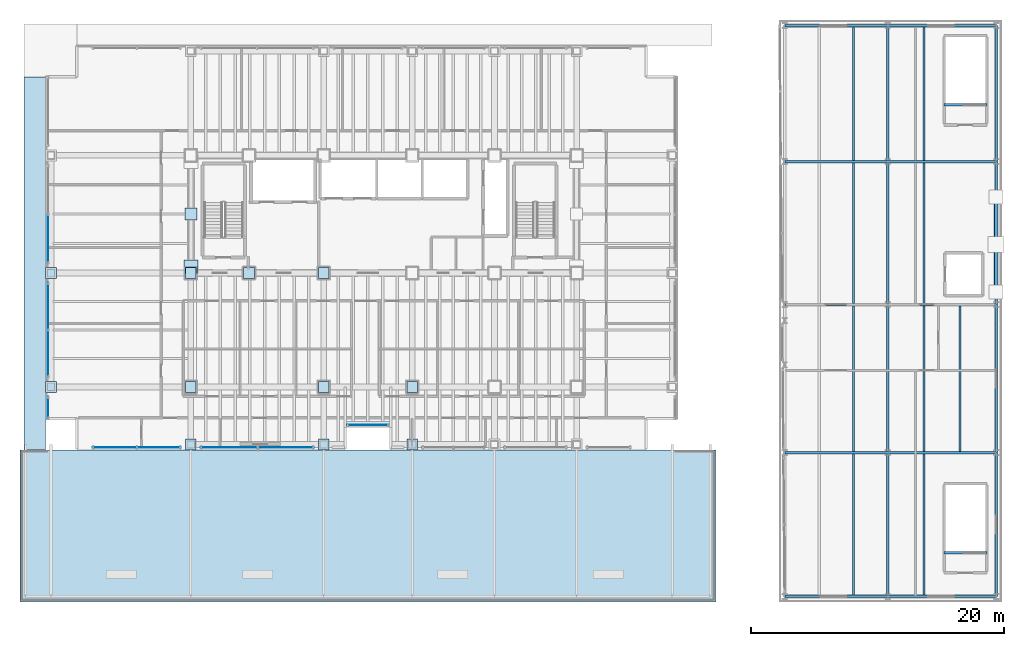
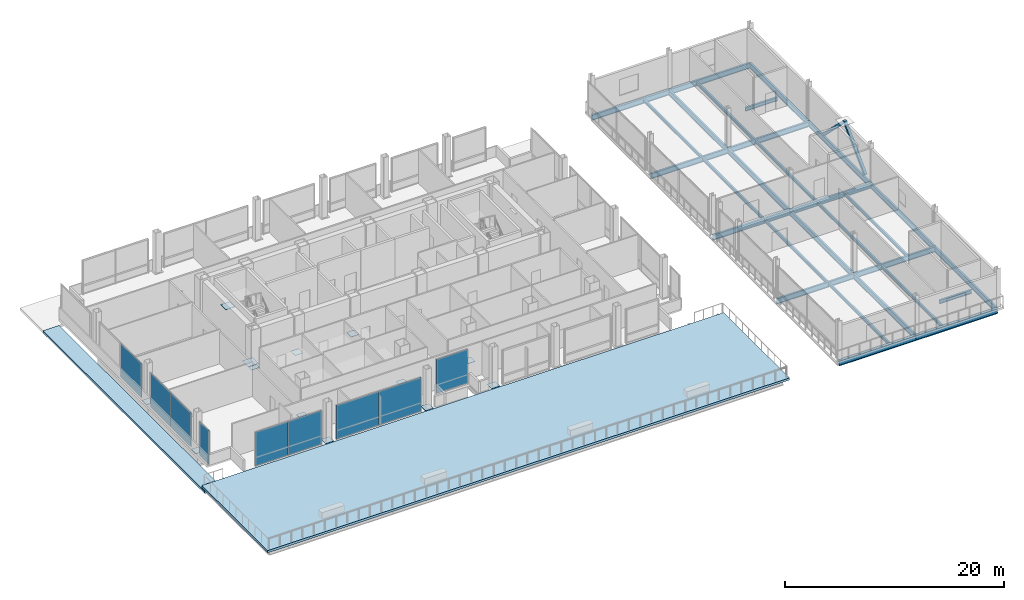
# One storey, part 23 of 34: 29 beams, 22 plates, 2 members, 2 slabs, 6 elements without a shape of their own.
"""IFC4 building model written with IfcOpenShell, lengths in metres."""

from ifc_helpers import new_model, si_unit, direction, frame, origin, origin_2d, place, context, subcontext, project, spatial, polyline, rectangle, hollow_rectangle, i_section, outline, extrude, material, layer, layer_set, material_profile, profile_set, type_object, element, aggregate, save


model = new_model("IFC4")

# Units and contexts
model_context = context("Model", 3, precision=1e-05, world=origin(), true_north=direction((0.0, 1.0)))
body_context = subcontext(model_context, "Body", "Model", "MODEL_VIEW")
ifc_project = project(units=[si_unit("LENGTHUNIT", "METRE"), si_unit("AREAUNIT", "SQUARE_METRE"), si_unit("VOLUMEUNIT", "CUBIC_METRE"), si_unit("PLANEANGLEUNIT", "RADIAN"), si_unit("MASSUNIT", "GRAM", prefix="KILO")], contexts=[model_context])

# Site, building, storey
site_placement = place(None, origin())
site = spatial("IfcSite", under=ifc_project, at=site_placement, CompositionType="ELEMENT")
building_placement = place(site_placement, origin())
building = spatial("IfcBuilding", under=site, at=building_placement, Name="Noeulbin Bourse Tower", CompositionType="ELEMENT")
storey_placement = place(building_placement, frame((0.0, 0.0, 22.0)))
storey = spatial("IfcBuildingStorey", under=building, at=storey_placement, Name="L05", CompositionType="ELEMENT", Elevation=22.0)

# Beams
ifc_material_1 = material(Name="Steel S355", Category="steel")
ifc_material_profile_1 = material_profile(ifc_material_1, i_section(OverallWidth=0.199951171875, OverallDepth=0.60009765625, WebThickness=0.010986328125, FlangeThickness=0.01708984375, FilletRadius=0.02197265625, at=origin_2d()), Name="H-600x200x11x17", Category="LoadBearing")
ifc_profile_set_1 = profile_set([ifc_material_profile_1], Name="Steel S355")
beam_type_1 = type_object("IfcBeamType", Name="BM-GRD-600", PredefinedType="USERDEFINED", material=ifc_profile_set_1)
beam_1_placement = place(storey_placement, frame((60.449951171875, 3.449951171875, -0.52001953125), z_axis=(1.0, 0.0, 0.0), x_axis=(0.0, 1.0, 0.0)))
element("IfcBeam", 1, at=beam_1_placement, inside=storey, type_object=beam_type_1, Name="Market Hall Girder EW L05-01", ObjectType="GIRDER", PredefinedType="USERDEFINED", context=body_context, shape_type="SweptSolid", body=[
    extrude(i_section(OverallWidth=0.199951171875, OverallDepth=0.60009765625, WebThickness=0.010986328125, FlangeThickness=0.01708984375, FilletRadius=0.02197265625, at=origin_2d()), origin(), (0.0, 0.0, 1.0), 8.150146484375),
])
beam_2_placement = place(storey_placement, frame((68.60009765625, 3.449951171875, -0.52001953125), z_axis=(1.0, 0.0, 0.0), x_axis=(0.0, 1.0, 0.0)))
element("IfcBeam", 2, at=beam_2_placement, inside=storey, type_object=beam_type_1, Name="Market Hall Girder EW L05-02", ObjectType="GIRDER", PredefinedType="USERDEFINED", context=body_context, shape_type="SweptSolid", body=[
    extrude(i_section(OverallWidth=0.199951171875, OverallDepth=0.60009765625, WebThickness=0.010986328125, FlangeThickness=0.01708984375, FilletRadius=0.02197265625, at=origin_2d()), origin(), (0.0, 0.0, 1.0), 8.5498046875),
])
beam_3_placement = place(storey_placement, frame((60.449951171875, 14.800048828125, -0.52001953125), z_axis=(1.0, 0.0, 0.0), x_axis=(0.0, 1.0, 0.0)))
element("IfcBeam", 3, at=beam_3_placement, inside=storey, type_object=beam_type_1, Name="Market Hall Girder EW L05-03", ObjectType="GIRDER", PredefinedType="USERDEFINED", context=body_context, shape_type="SweptSolid", body=[
    extrude(i_section(OverallWidth=0.199951171875, OverallDepth=0.60009765625, WebThickness=0.010986328125, FlangeThickness=0.01708984375, FilletRadius=0.02197265625, at=origin_2d()), origin(), (0.0, 0.0, 1.0), 8.150146484375),
])
beam_4_placement = place(storey_placement, frame((68.60009765625, 14.800048828125, -0.52001953125), z_axis=(1.0, 0.0, 0.0), x_axis=(0.0, 1.0, 0.0)))
element("IfcBeam", 4, at=beam_4_placement, inside=storey, type_object=beam_type_1, Name="Market Hall Girder EW L05-04", ObjectType="GIRDER", PredefinedType="USERDEFINED", context=body_context, shape_type="SweptSolid", body=[
    extrude(i_section(OverallWidth=0.199951171875, OverallDepth=0.60009765625, WebThickness=0.010986328125, FlangeThickness=0.01708984375, FilletRadius=0.02197265625, at=origin_2d()), origin(), (0.0, 0.0, 1.0), 8.5498046875),
])
beam_5_placement = place(storey_placement, frame((60.449951171875, 26.5, -0.52001953125), z_axis=(1.0, 0.0, 0.0), x_axis=(0.0, 1.0, 0.0)))
element("IfcBeam", 5, at=beam_5_placement, inside=storey, type_object=beam_type_1, Name="Market Hall Girder EW L05-05", ObjectType="GIRDER", PredefinedType="USERDEFINED", context=body_context, shape_type="SweptSolid", body=[
    extrude(i_section(OverallWidth=0.199951171875, OverallDepth=0.60009765625, WebThickness=0.010986328125, FlangeThickness=0.01708984375, FilletRadius=0.02197265625, at=origin_2d()), origin(), (0.0, 0.0, 1.0), 8.150146484375),
])
beam_6_placement = place(storey_placement, frame((68.60009765625, 26.5, -0.52001953125), z_axis=(1.0, 0.0, 0.0), x_axis=(0.0, 1.0, 0.0)))
element("IfcBeam", 6, at=beam_6_placement, inside=storey, type_object=beam_type_1, Name="Market Hall Girder EW L05-06", ObjectType="GIRDER", PredefinedType="USERDEFINED", context=body_context, shape_type="SweptSolid", body=[
    extrude(i_section(OverallWidth=0.199951171875, OverallDepth=0.60009765625, WebThickness=0.010986328125, FlangeThickness=0.01708984375, FilletRadius=0.02197265625, at=origin_2d()), origin(), (0.0, 0.0, 1.0), 8.5498046875),
])
beam_7_placement = place(storey_placement, frame((60.449951171875, 37.800048828125, -0.52001953125), z_axis=(1.0, 0.0, 0.0), x_axis=(0.0, 1.0, 0.0)))
element("IfcBeam", 7, at=beam_7_placement, inside=storey, type_object=beam_type_1, Name="Market Hall Girder EW L05-07", ObjectType="GIRDER", PredefinedType="USERDEFINED", context=body_context, shape_type="SweptSolid", body=[
    extrude(i_section(OverallWidth=0.199951171875, OverallDepth=0.60009765625, WebThickness=0.010986328125, FlangeThickness=0.01708984375, FilletRadius=0.02197265625, at=origin_2d()), origin(), (0.0, 0.0, 1.0), 8.150146484375),
])
beam_8_placement = place(storey_placement, frame((68.60009765625, 37.800048828125, -0.52001953125), z_axis=(1.0, 0.0, 0.0), x_axis=(0.0, 1.0, 0.0)))
element("IfcBeam", 8, at=beam_8_placement, inside=storey, type_object=beam_type_1, Name="Market Hall Girder EW L05-08", ObjectType="GIRDER", PredefinedType="USERDEFINED", context=body_context, shape_type="SweptSolid", body=[
    extrude(i_section(OverallWidth=0.199951171875, OverallDepth=0.60009765625, WebThickness=0.010986328125, FlangeThickness=0.01708984375, FilletRadius=0.02197265625, at=origin_2d()), origin(), (0.0, 0.0, 1.0), 8.5498046875),
])
beam_9_placement = place(storey_placement, frame((60.449951171875, 48.550048828125, -0.52001953125), z_axis=(1.0, 0.0, 0.0), x_axis=(0.0, 1.0, 0.0)))
element("IfcBeam", 9, at=beam_9_placement, inside=storey, type_object=beam_type_1, Name="Market Hall Girder EW L05-09", ObjectType="GIRDER", PredefinedType="USERDEFINED", context=body_context, shape_type="SweptSolid", body=[
    extrude(i_section(OverallWidth=0.199951171875, OverallDepth=0.60009765625, WebThickness=0.010986328125, FlangeThickness=0.01708984375, FilletRadius=0.02197265625, at=origin_2d()), origin(), (0.0, 0.0, 1.0), 8.150146484375),
])
beam_10_placement = place(storey_placement, frame((68.60009765625, 48.550048828125, -0.52001953125), z_axis=(1.0, 0.0, 0.0), x_axis=(0.0, 1.0, 0.0)))
element("IfcBeam", 10, at=beam_10_placement, inside=storey, type_object=beam_type_1, Name="Market Hall Girder EW L05-10", ObjectType="GIRDER", PredefinedType="USERDEFINED", context=body_context, shape_type="SweptSolid", body=[
    extrude(i_section(OverallWidth=0.199951171875, OverallDepth=0.60009765625, WebThickness=0.010986328125, FlangeThickness=0.01708984375, FilletRadius=0.02197265625, at=origin_2d()), origin(), (0.0, 0.0, 1.0), 8.5498046875),
])
beam_11_placement = place(storey_placement, frame((68.60009765625, 3.449951171875, -0.52001953125), z_axis=(0.0, 1.0, 0.0), x_axis=(-1.0, 0.0, 0.0)))
element("IfcBeam", 11, at=beam_11_placement, inside=storey, type_object=beam_type_1, Name="Market Hall Girder NS L05-15", ObjectType="GIRDER", PredefinedType="USERDEFINED", context=body_context, shape_type="SweptSolid", body=[
    extrude(i_section(OverallWidth=0.199951171875, OverallDepth=0.60009765625, WebThickness=0.010986328125, FlangeThickness=0.01708984375, FilletRadius=0.02197265625, at=origin_2d()), origin(), (0.0, 0.0, 1.0), 11.35009765625),
])
beam_12_placement = place(storey_placement, frame((68.60009765625, 14.800048828125, -0.52001953125), z_axis=(0.0, 1.0, 0.0), x_axis=(-1.0, 0.0, 0.0)))
element("IfcBeam", 12, at=beam_12_placement, inside=storey, type_object=beam_type_1, Name="Market Hall Girder NS L05-16", ObjectType="GIRDER", PredefinedType="USERDEFINED", context=body_context, shape_type="SweptSolid", body=[
    extrude(i_section(OverallWidth=0.199951171875, OverallDepth=0.60009765625, WebThickness=0.010986328125, FlangeThickness=0.01708984375, FilletRadius=0.02197265625, at=origin_2d()), origin(), (0.0, 0.0, 1.0), 11.699951171875),
])
beam_13_placement = place(storey_placement, frame((68.60009765625, 26.5, -0.52001953125), z_axis=(0.0, 1.0, 0.0), x_axis=(-1.0, 0.0, 0.0)))
element("IfcBeam", 13, at=beam_13_placement, inside=storey, type_object=beam_type_1, Name="Market Hall Girder NS L05-17", ObjectType="GIRDER", PredefinedType="USERDEFINED", context=body_context, shape_type="SweptSolid", body=[
    extrude(i_section(OverallWidth=0.199951171875, OverallDepth=0.60009765625, WebThickness=0.010986328125, FlangeThickness=0.01708984375, FilletRadius=0.02197265625, at=origin_2d()), origin(), (0.0, 0.0, 1.0), 11.300048828125),
])
beam_14_placement = place(storey_placement, frame((68.60009765625, 37.800048828125, -0.52001953125), z_axis=(0.0, 1.0, 0.0), x_axis=(-1.0, 0.0, 0.0)))
element("IfcBeam", 14, at=beam_14_placement, inside=storey, type_object=beam_type_1, Name="Market Hall Girder NS L05-18", ObjectType="GIRDER", PredefinedType="USERDEFINED", context=body_context, shape_type="SweptSolid", body=[
    extrude(i_section(OverallWidth=0.199951171875, OverallDepth=0.60009765625, WebThickness=0.010986328125, FlangeThickness=0.01708984375, FilletRadius=0.02197265625, at=origin_2d()), origin(), (0.0, 0.0, 1.0), 10.75),
])
beam_15_placement = place(storey_placement, frame((77.14990234375, 3.449951171875, -0.52001953125), z_axis=(0.0, 1.0, 0.0), x_axis=(-1.0, 0.0, 0.0)))
element("IfcBeam", 15, at=beam_15_placement, inside=storey, type_object=beam_type_1, Name="Market Hall Girder NS L05-19", ObjectType="GIRDER", PredefinedType="USERDEFINED", context=body_context, shape_type="SweptSolid", body=[
    extrude(i_section(OverallWidth=0.199951171875, OverallDepth=0.60009765625, WebThickness=0.010986328125, FlangeThickness=0.01708984375, FilletRadius=0.02197265625, at=origin_2d()), origin(), (0.0, 0.0, 1.0), 11.35009765625),
])
beam_16_placement = place(storey_placement, frame((77.14990234375, 14.800048828125, -0.52001953125), z_axis=(0.0, 1.0, 0.0), x_axis=(-1.0, 0.0, 0.0)))
element("IfcBeam", 16, at=beam_16_placement, inside=storey, type_object=beam_type_1, Name="Market Hall Girder NS L05-20", ObjectType="GIRDER", PredefinedType="USERDEFINED", context=body_context, shape_type="SweptSolid", body=[
    extrude(i_section(OverallWidth=0.199951171875, OverallDepth=0.60009765625, WebThickness=0.010986328125, FlangeThickness=0.01708984375, FilletRadius=0.02197265625, at=origin_2d()), origin(), (0.0, 0.0, 1.0), 11.699951171875),
])
beam_17_placement = place(storey_placement, frame((77.14990234375, 26.5, -0.52001953125), z_axis=(0.0, 1.0, 0.0), x_axis=(-1.0, 0.0, 0.0)))
element("IfcBeam", 17, at=beam_17_placement, inside=storey, type_object=beam_type_1, Name="Market Hall Girder NS L05-21", ObjectType="GIRDER", PredefinedType="USERDEFINED", context=body_context, shape_type="SweptSolid", body=[
    extrude(i_section(OverallWidth=0.199951171875, OverallDepth=0.60009765625, WebThickness=0.010986328125, FlangeThickness=0.01708984375, FilletRadius=0.02197265625, at=origin_2d()), origin(), (0.0, 0.0, 1.0), 11.300048828125),
])
beam_18_placement = place(storey_placement, frame((77.14990234375, 37.800048828125, -0.52001953125), z_axis=(0.0, 1.0, 0.0), x_axis=(-1.0, 0.0, 0.0)))
element("IfcBeam", 18, at=beam_18_placement, inside=storey, type_object=beam_type_1, Name="Market Hall Girder NS L05-22", ObjectType="GIRDER", PredefinedType="USERDEFINED", context=body_context, shape_type="SweptSolid", body=[
    extrude(i_section(OverallWidth=0.199951171875, OverallDepth=0.60009765625, WebThickness=0.010986328125, FlangeThickness=0.01708984375, FilletRadius=0.02197265625, at=origin_2d()), origin(), (0.0, 0.0, 1.0), 10.75),
])
ifc_material_profile_2 = material_profile(ifc_material_1, i_section(OverallWidth=0.175048828125, OverallDepth=0.35009765625, WebThickness=0.007080078125, FlangeThickness=0.010986328125, FilletRadius=0.013916015625, at=origin_2d()), Name="H-350x175x7x11", Category="LoadBearing")
ifc_profile_set_2 = profile_set([ifc_material_profile_2], Name="Steel S355")
beam_type_2 = type_object("IfcBeamType", Name="BM-JST-350", PredefinedType="JOIST", material=ifc_profile_set_2)
beam_19_placement = place(storey_placement, frame((65.88330078125, 3.550048828125, -0.39501953125), z_axis=(0.0, 1.0, 0.0), x_axis=(-1.0, 0.0, 0.0)))
element("IfcBeam", 19, at=beam_19_placement, inside=storey, type_object=beam_type_2, Name="Market Hall Secondary Joist L05-05", PredefinedType="JOIST", context=body_context, shape_type="SweptSolid", body=[
    extrude(i_section(OverallWidth=0.175048828125, OverallDepth=0.35009765625, WebThickness=0.007080078125, FlangeThickness=0.010986328125, FilletRadius=0.013916015625, at=origin_2d()), origin(), (0.0, 0.0, 1.0), 11.14990234375),
])
beam_20_placement = place(storey_placement, frame((65.88330078125, 14.89990234375, -0.39501953125), z_axis=(0.0, 1.0, 0.0), x_axis=(-1.0, 0.0, 0.0)))
element("IfcBeam", 20, at=beam_20_placement, inside=storey, type_object=beam_type_2, Name="Market Hall Secondary Joist L05-06", PredefinedType="JOIST", context=body_context, shape_type="SweptSolid", body=[
    extrude(i_section(OverallWidth=0.175048828125, OverallDepth=0.35009765625, WebThickness=0.007080078125, FlangeThickness=0.010986328125, FilletRadius=0.013916015625, at=origin_2d()), origin(), (0.0, 0.0, 1.0), 11.5),
])
beam_21_placement = place(storey_placement, frame((65.88330078125, 26.60009765625, -0.39501953125), z_axis=(0.0, 1.0, 0.0), x_axis=(-1.0, 0.0, 0.0)))
element("IfcBeam", 21, at=beam_21_placement, inside=storey, type_object=beam_type_2, Name="Market Hall Secondary Joist L05-07", PredefinedType="JOIST", context=body_context, shape_type="SweptSolid", body=[
    extrude(i_section(OverallWidth=0.175048828125, OverallDepth=0.35009765625, WebThickness=0.007080078125, FlangeThickness=0.010986328125, FilletRadius=0.013916015625, at=origin_2d()), origin(), (0.0, 0.0, 1.0), 11.099853515625),
])
beam_22_placement = place(storey_placement, frame((65.88330078125, 37.89990234375, -0.39501953125), z_axis=(0.0, 1.0, 0.0), x_axis=(-1.0, 0.0, 0.0)))
element("IfcBeam", 22, at=beam_22_placement, inside=storey, type_object=beam_type_2, Name="Market Hall Secondary Joist L05-08", PredefinedType="JOIST", context=body_context, shape_type="SweptSolid", body=[
    extrude(i_section(OverallWidth=0.175048828125, OverallDepth=0.35009765625, WebThickness=0.007080078125, FlangeThickness=0.010986328125, FilletRadius=0.013916015625, at=origin_2d()), origin(), (0.0, 0.0, 1.0), 10.550048828125),
])
beam_23_placement = place(storey_placement, frame((71.449951171875, 3.550048828125, -0.39501953125), z_axis=(0.0, 1.0, 0.0), x_axis=(-1.0, 0.0, 0.0)))
element("IfcBeam", 23, at=beam_23_placement, inside=storey, type_object=beam_type_2, Name="Market Hall Secondary Joist L05-09", PredefinedType="JOIST", context=body_context, shape_type="SweptSolid", body=[
    extrude(i_section(OverallWidth=0.175048828125, OverallDepth=0.35009765625, WebThickness=0.007080078125, FlangeThickness=0.010986328125, FilletRadius=0.013916015625, at=origin_2d()), origin(), (0.0, 0.0, 1.0), 11.14990234375),
])
beam_24_placement = place(storey_placement, frame((71.449951171875, 14.89990234375, -0.39501953125), z_axis=(0.0, 1.0, 0.0), x_axis=(-1.0, 0.0, 0.0)))
element("IfcBeam", 24, at=beam_24_placement, inside=storey, type_object=beam_type_2, Name="Market Hall Secondary Joist L05-10", PredefinedType="JOIST", context=body_context, shape_type="SweptSolid", body=[
    extrude(i_section(OverallWidth=0.175048828125, OverallDepth=0.35009765625, WebThickness=0.007080078125, FlangeThickness=0.010986328125, FilletRadius=0.013916015625, at=origin_2d()), origin(), (0.0, 0.0, 1.0), 11.5),
])
beam_25_placement = place(storey_placement, frame((71.449951171875, 26.60009765625, -0.39501953125), z_axis=(0.0, 1.0, 0.0), x_axis=(-1.0, 0.0, 0.0)))
element("IfcBeam", 25, at=beam_25_placement, inside=storey, type_object=beam_type_2, Name="Market Hall Secondary Joist L05-11", PredefinedType="JOIST", context=body_context, shape_type="SweptSolid", body=[
    extrude(i_section(OverallWidth=0.175048828125, OverallDepth=0.35009765625, WebThickness=0.007080078125, FlangeThickness=0.010986328125, FilletRadius=0.013916015625, at=origin_2d()), origin(), (0.0, 0.0, 1.0), 11.099853515625),
])
beam_26_placement = place(storey_placement, frame((71.449951171875, 37.89990234375, -0.39501953125), z_axis=(0.0, 1.0, 0.0), x_axis=(-1.0, 0.0, 0.0)))
element("IfcBeam", 26, at=beam_26_placement, inside=storey, type_object=beam_type_2, Name="Market Hall Secondary Joist L05-12", PredefinedType="JOIST", context=body_context, shape_type="SweptSolid", body=[
    extrude(i_section(OverallWidth=0.175048828125, OverallDepth=0.35009765625, WebThickness=0.007080078125, FlangeThickness=0.010986328125, FilletRadius=0.013916015625, at=origin_2d()), origin(), (0.0, 0.0, 1.0), 10.550048828125),
])
beam_27_placement = place(storey_placement, frame((74.300048828125, 14.89990234375, -0.39501953125), z_axis=(0.0, 1.0, 0.0), x_axis=(-1.0, 0.0, 0.0)))
element("IfcBeam", 27, at=beam_27_placement, inside=storey, type_object=beam_type_2, Name="Market Hall Secondary Joist L05-13", PredefinedType="JOIST", context=body_context, shape_type="SweptSolid", body=[
    extrude(i_section(OverallWidth=0.175048828125, OverallDepth=0.35009765625, WebThickness=0.007080078125, FlangeThickness=0.010986328125, FilletRadius=0.013916015625, at=origin_2d()), origin(), (0.0, 0.0, 1.0), 11.5),
])
ifc_material_profile_3 = material_profile(ifc_material_1, i_section(OverallWidth=0.199951171875, OverallDepth=0.39990234375, WebThickness=0.008056640625, FlangeThickness=0.012939453125, FilletRadius=0.01611328125, at=origin_2d()), Name="H-400x200x8x13", Category="LoadBearing")
ifc_profile_set_3 = profile_set([ifc_material_profile_3], Name="Steel S355")
beam_type_3 = type_object("IfcBeamType", Name="BM-SEC-400", PredefinedType="BEAM", material=ifc_profile_set_3)
for number, where, z_axis, x_axis, name in (
    (28, (73.02001953125, 6.889892578125, -0.199951171875), (1.0, 0.0, 0.0), (0.0, 1.0, 0.0), "Stair Threshold Trimmer Beam MST1-L05"),
    (29, (73.02001953125, 42.2900390625, -0.199951171875), (1.0, 0.0, 0.0), (0.0, 1.0, 0.0), "Stair Threshold Trimmer Beam MST2-L05"),
):
    element("IfcBeam", number, at=place(storey_placement, frame(where, z_axis=z_axis, x_axis=x_axis)), inside=storey, type_object=beam_type_3, Name=name, PredefinedType="BEAM", context=body_context, shape_type="SweptSolid", body=[
        extrude(i_section(OverallWidth=0.199951171875, OverallDepth=0.39990234375, WebThickness=0.008056640625, FlangeThickness=0.012939453125, FilletRadius=0.01611328125, at=origin_2d()), origin(), (0.0, 0.0, 1.0), 3.39990234375),
    ])

# Members
ifc_material_profile_4 = material_profile(ifc_material_1, hollow_rectangle(XDim=0.300048828125, YDim=0.300048828125, WallThickness=0.011962890625, InnerFilletRadius=0.011962890625, OuterFilletRadius=0.02392578125, at=origin_2d()), Name="SHS-300x300x12", Category="LoadBearing")
ifc_profile_set_4 = profile_set([ifc_material_profile_4], Name="Steel S355")
member_type = type_object("IfcMemberType", Name="MEM-MKT-300", PredefinedType="BRACE", material=ifc_profile_set_4)
for number, where, z_axis, x_axis, name in (
    (30, (77.14990234375, 27.5, 0.010009765625), (0.0, 0.712791645016, 0.701375841326), (-1.0, 0.0, 0.0), "Market Hall Braced Frame Diagonal MB-L05-1"),
    (31, (77.14990234375, 31.25, 3.699951171875), (0.0, 0.712791645016, -0.701375841326), (-1.0, 0.0, 0.0), "Market Hall Braced Frame Diagonal MB-L05-2"),
):
    element("IfcMember", number, at=place(storey_placement, frame(where, z_axis=z_axis, x_axis=x_axis)), inside=storey, type_object=member_type, Name=name, PredefinedType="BRACE", context=body_context, shape_type="SweptSolid", body=[
        extrude(hollow_rectangle(XDim=0.300048828125, YDim=0.300048828125, WallThickness=0.011962890625, InnerFilletRadius=0.011962890625, OuterFilletRadius=0.02392578125, at=origin_2d()), origin(), (0.0, 0.0, 1.0), 5.260986328125),
    ])

# Curtain wall, plate
ifc_material_2 = material(Name="Dark Solar-Control Double Glazing", Category="glass")
curtain_wall_type = type_object("IfcCurtainWallType", Name="CW-SYS-2", PredefinedType="NOTDEFINED", material=ifc_material_2)
curtain_wall_1_placement = place(storey_placement, origin())
curtain_wall_1 = element("IfcCurtainWall", 32, at=curtain_wall_1_placement, inside=storey, type_object=curtain_wall_type, Name="Unitised Curtain Wall CW-L05-SREC", PredefinedType="NOTDEFINED")
ifc_layer_1 = layer(ifc_material_2, 0.035888671875)
ifc_layer_set_1 = layer_set([ifc_layer_1], Name="Dark Solar-Control Double Glazing")
plate_type_1 = type_object("IfcPlateType", Name="CW-SYS-2-PNL", PredefinedType="CURTAIN_PANEL", material=ifc_layer_set_1)
plate_1_placement = place(storey_placement, frame((27.5, 16.97998046875, 0.0), z_axis=(0.0, 0.0, 1.0), x_axis=(1.0, 0.0, 0.0)))
plate_1 = element("IfcPlate", 33, at=plate_1_placement, type_object=plate_type_1, Name="Glazed Curtain Panel CW-L05-SREC-P00", PredefinedType="CURTAIN_PANEL", context=body_context, shape_type="SweptSolid", body=[
    extrude(rectangle(XDim=3.300048828125, YDim=0.035888671875, at=origin_2d()), origin(), (0.0, 0.0, 1.0), 3.780029296875),
])
aggregate(curtain_wall_1, [plate_1])

# Curtain wall, plates
curtain_wall_2_placement = place(storey_placement, origin())
curtain_wall_2 = element("IfcCurtainWall", 34, at=curtain_wall_2_placement, inside=storey, type_object=curtain_wall_type, Name="Unitised Curtain Wall CW-L05-S1-S1", PredefinedType="NOTDEFINED")
plate_2_placement = place(storey_placement, frame((7.47998046875, 15.219970703125, 0.0), z_axis=(0.0, 0.0, 1.0), x_axis=(1.0, 0.0, 0.0)))
plate_2 = element("IfcPlate", 35, at=plate_2_placement, type_object=plate_type_1, Name="Glazed Curtain Panel CW-L05-S1-S1-P00", PredefinedType="CURTAIN_PANEL", context=body_context, shape_type="SweptSolid", body=[
    extrude(rectangle(XDim=3.489990234375, YDim=0.035888671875, at=origin_2d()), origin(), (0.0, 0.0, 1.0), 3.780029296875),
])
plate_3_placement = place(storey_placement, frame((10.969970703125, 15.219970703125, 0.0), z_axis=(0.0, 0.0, 1.0), x_axis=(1.0, 0.0, 0.0)))
plate_3 = element("IfcPlate", 36, at=plate_3_placement, type_object=plate_type_1, Name="Glazed Curtain Panel CW-L05-S1-S1-P01", PredefinedType="CURTAIN_PANEL", context=body_context, shape_type="SweptSolid", body=[
    extrude(rectangle(XDim=3.489990234375, YDim=0.035888671875, at=origin_2d()), origin(), (0.0, 0.0, 1.0), 3.780029296875),
])
aggregate(curtain_wall_2, [plate_2, plate_3])

curtain_wall_3_placement = place(storey_placement, origin())
curtain_wall_3 = element("IfcCurtainWall", 37, at=curtain_wall_3_placement, inside=storey, type_object=curtain_wall_type, Name="Unitised Curtain Wall CW-L05-S1-S2", PredefinedType="NOTDEFINED")
plate_4_placement = place(storey_placement, frame((16.517578125, 15.219970703125, 0.0), z_axis=(0.0, 0.0, 1.0), x_axis=(1.0, 0.0, 0.0)))
plate_4 = element("IfcPlate", 38, at=plate_4_placement, type_object=plate_type_1, Name="Glazed Curtain Panel CW-L05-S1-S2-P00", PredefinedType="CURTAIN_PANEL", context=body_context, shape_type="SweptSolid", body=[
    extrude(rectangle(XDim=4.465087890625, YDim=0.035888671875, at=origin_2d()), origin(), (0.0, 0.0, 1.0), 3.780029296875),
])
plate_5_placement = place(storey_placement, frame((20.982421875, 15.219970703125, 0.0), z_axis=(0.0, 0.0, 1.0), x_axis=(1.0, 0.0, 0.0)))
plate_5 = element("IfcPlate", 39, at=plate_5_placement, type_object=plate_type_1, Name="Glazed Curtain Panel CW-L05-S1-S2-P01", PredefinedType="CURTAIN_PANEL", context=body_context, shape_type="SweptSolid", body=[
    extrude(rectangle(XDim=4.465087890625, YDim=0.035888671875, at=origin_2d()), origin(), (0.0, 0.0, 1.0), 3.780029296875),
])
aggregate(curtain_wall_3, [plate_4, plate_5])

# Curtain wall, plate
curtain_wall_4_placement = place(storey_placement, origin())
curtain_wall_4 = element("IfcCurtainWall", 40, at=curtain_wall_4_placement, inside=storey, type_object=curtain_wall_type, Name="Unitised Curtain Wall CW-L05-W-S1", PredefinedType="NOTDEFINED")
plate_6_placement = place(storey_placement, frame((2.219970703125, 18.347412109375, 0.0), z_axis=(0.0, 0.0, 1.0), x_axis=(0.0, 1.0, 0.0)))
plate_6 = element("IfcPlate", 41, at=plate_6_placement, type_object=plate_type_1, Name="Glazed Curtain Panel CW-L05-W-S1-P00", PredefinedType="CURTAIN_PANEL", context=body_context, shape_type="SweptSolid", body=[
    extrude(rectangle(XDim=1.735107421875, YDim=0.035888671875, at=origin_2d()), origin(), (0.0, 0.0, 1.0), 3.780029296875),
])
aggregate(curtain_wall_4, [plate_6])

# Curtain wall, plates
curtain_wall_5_placement = place(storey_placement, origin())
curtain_wall_5 = element("IfcCurtainWall", 42, at=curtain_wall_5_placement, inside=storey, type_object=curtain_wall_type, Name="Unitised Curtain Wall CW-L05-W-S2", PredefinedType="NOTDEFINED")
plate_7_placement = place(storey_placement, frame((2.219970703125, 22.642578125, 0.0), z_axis=(0.0, 0.0, 1.0), x_axis=(0.0, 1.0, 0.0)))
plate_7 = element("IfcPlate", 43, at=plate_7_placement, type_object=plate_type_1, Name="Glazed Curtain Panel CW-L05-W-S2-P00", PredefinedType="CURTAIN_PANEL", context=body_context, shape_type="SweptSolid", body=[
    extrude(rectangle(XDim=3.715087890625, YDim=0.035888671875, at=origin_2d()), origin(), (0.0, 0.0, 1.0), 3.780029296875),
])
plate_8_placement = place(storey_placement, frame((2.219970703125, 26.357421875, 0.0), z_axis=(0.0, 0.0, 1.0), x_axis=(0.0, 1.0, 0.0)))
plate_8 = element("IfcPlate", 44, at=plate_8_placement, type_object=plate_type_1, Name="Glazed Curtain Panel CW-L05-W-S2-P01", PredefinedType="CURTAIN_PANEL", context=body_context, shape_type="SweptSolid", body=[
    extrude(rectangle(XDim=3.715087890625, YDim=0.035888671875, at=origin_2d()), origin(), (0.0, 0.0, 1.0), 3.780029296875),
])
aggregate(curtain_wall_5, [plate_7, plate_8])

# Curtain wall, plate
curtain_wall_6_placement = place(storey_placement, origin())
curtain_wall_6 = element("IfcCurtainWall", 45, at=curtain_wall_6_placement, inside=storey, type_object=curtain_wall_type, Name="Unitised Curtain Wall CW-L05-W-S3", PredefinedType="NOTDEFINED")
plate_9_placement = place(storey_placement, frame((2.219970703125, 31.717529296875, 0.0), z_axis=(0.0, 0.0, 1.0), x_axis=(0.0, 1.0, 0.0)))
plate_9 = element("IfcPlate", 46, at=plate_9_placement, type_object=plate_type_1, Name="Glazed Curtain Panel CW-L05-W-S3-P00", PredefinedType="CURTAIN_PANEL", context=body_context, shape_type="SweptSolid", body=[
    extrude(rectangle(XDim=3.864990234375, YDim=0.035888671875, at=origin_2d()), origin(), (0.0, 0.0, 1.0), 3.780029296875),
])
aggregate(curtain_wall_6, [plate_9])

# Plates
ifc_layer_2 = layer(ifc_material_1, 0.030029296875)
ifc_layer_set_2 = layer_set([ifc_layer_2], Name="Steel S355")
plate_type_2 = type_object("IfcPlateType", Name="PLT-BN1", PredefinedType="USERDEFINED", material=ifc_layer_set_2)
for number, where, z_axis, x_axis, name in (
    (47, (13.5, 29.0, 0.0048828125), (0.0, 0.0, 1.0), (1.0, 0.0, 0.0), "Mega-Column Splice Plate BN1-L05-01"),
    (48, (18.10009765625, 29.0, 0.0048828125), (0.0, 0.0, 1.0), (1.0, 0.0, 0.0), "Mega-Column Splice Plate BN1-L05-03"),
    (49, (24.0, 29.0, 0.0048828125), (0.0, 0.0, 1.0), (1.0, 0.0, 0.0), "Mega-Column Splice Plate BN1-L05-05"),
    (50, (13.5, 20.0, 0.0048828125), (0.0, 0.0, 1.0), (1.0, 0.0, 0.0), "Mega-Column Splice Plate BN1-L05-13"),
    (51, (24.0, 20.0, 0.0048828125), (0.0, 0.0, 1.0), (1.0, 0.0, 0.0), "Mega-Column Splice Plate BN1-L05-14"),
    (52, (31.0, 20.0, 0.0048828125), (0.0, 0.0, 1.0), (1.0, 0.0, 0.0), "Mega-Column Splice Plate BN1-L05-15"),
    (53, (2.449951171875, 20.0, 0.0048828125), (0.0, 0.0, 1.0), (1.0, 0.0, 0.0), "Perimeter Column Splice Plate BN1-L05-01"),
    (54, (2.449951171875, 29.0, 0.0048828125), (0.0, 0.0, 1.0), (1.0, 0.0, 0.0), "Perimeter Column Splice Plate BN1-L05-02"),
    (55, (13.5, 15.449951171875, 0.0048828125), (0.0, 0.0, 1.0), (1.0, 0.0, 0.0), "Perimeter Column Splice Plate BN1-L05-04"),
    (56, (24.0, 15.449951171875, 0.0048828125), (0.0, 0.0, 1.0), (1.0, 0.0, 0.0), "Perimeter Column Splice Plate BN1-L05-06"),
    (57, (31.0, 15.449951171875, 0.0048828125), (0.0, 0.0, 1.0), (1.0, 0.0, 0.0), "Perimeter Column Splice Plate BN1-L05-08"),
):
    element("IfcPlate", number, at=place(storey_placement, frame(where, z_axis=z_axis, x_axis=x_axis)), inside=storey, type_object=plate_type_2, Name=name, ObjectType="SPLICE PLATE", PredefinedType="USERDEFINED", context=body_context, shape_type="SweptSolid", body=[
        extrude(rectangle(XDim=0.85009765625, YDim=0.85009765625, at=origin_2d()), origin(), (0.0, 0.0, 1.0), 0.030029296875),
    ])
ifc_material_3 = material(Name="Steel S460", Category="steel")
ifc_layer_3 = layer(ifc_material_3, 0.035888671875)
ifc_layer_set_3 = layer_set([ifc_layer_3], Name="Steel S460")
plate_type_3 = type_object("IfcPlateType", Name="PLT-KN2", PredefinedType="USERDEFINED", material=ifc_layer_set_3)
plate_10_placement = place(storey_placement, frame((13.5, 29.5, 0.18212890625), z_axis=(0.0, 0.0, 1.0), x_axis=(1.0, 0.0, 0.0)))
element("IfcPlate", 58, at=plate_10_placement, inside=storey, type_object=plate_type_3, Name="Core Flank Brace South Gusset Plate KN2-L05-WA", ObjectType="GUSSET PLATE", PredefinedType="USERDEFINED", context=body_context, shape_type="SweptSolid", body=[
    extrude(rectangle(XDim=1.10009765625, YDim=1.10009765625, at=origin_2d()), origin(), (0.0, 0.0, 1.0), 0.035888671875),
])
ifc_layer_4 = layer(ifc_material_1, 0.031982421875)
ifc_layer_set_4 = layer_set([ifc_layer_4], Name="Steel S355")
plate_type_4 = type_object("IfcPlateType", Name="PLT-KN3", PredefinedType="USERDEFINED", material=ifc_layer_set_4)
plate_11_placement = place(storey_placement, frame((13.5, 33.64990234375, 3.9541015625), z_axis=(0.0, 0.0, 1.0), x_axis=(1.0, 0.0, 0.0)))
element("IfcPlate", 59, at=plate_11_placement, inside=storey, type_object=plate_type_4, Name="Core Flank Brace Apex End Plate KN3-L05-W", ObjectType="END PLATE", PredefinedType="USERDEFINED", context=body_context, shape_type="SweptSolid", body=[
    extrude(rectangle(XDim=0.949951171875, YDim=0.949951171875, at=origin_2d()), origin(), (0.0, 0.0, 1.0), 0.031982421875),
])

# Slabs
ifc_material_4 = material(Name="Concrete C40/50", Category="concrete")
ifc_layer_5 = layer(ifc_material_4, 0.25)
ifc_layer_set_5 = layer_set([ifc_layer_5], Name="Concrete C40/50")
slab_type_1 = type_object("IfcSlabType", Name="SLB-POD-250", PredefinedType="FLOOR", material=ifc_layer_set_5)
slab_1_placement = place(storey_placement, frame((0.0, 0.0, -0.25)))
element("IfcSlab", 60, at=slab_1_placement, inside=storey, type_object=slab_type_1, Name="Podium South Sky-Garden Terrace Slab L05", PredefinedType="FLOOR", context=body_context, shape_type="SweptSolid", body=[
    extrude(outline(polyline([(0.0, 3.0), (55.0, 3.0), (55.0, 15.0), (0.0, 15.0), (0.0, 3.0)])), origin(), (0.0, 0.0, 1.0), 0.25),
])
ifc_layer_6 = layer(ifc_material_4, 0.25)
ifc_layer_set_6 = layer_set([ifc_layer_6], Name="Concrete C40/50")
slab_type_2 = type_object("IfcSlabType", Name="SLB-ROOF-250", PredefinedType="ROOF", material=ifc_layer_set_6)
slab_2_placement = place(storey_placement, frame((0.0, 0.0, -1.02001953125)))
element("IfcSlab", 61, at=slab_2_placement, inside=storey, type_object=slab_type_2, Name="Podium West Perimeter Roof Slab L05", PredefinedType="ROOF", context=body_context, shape_type="SweptSolid", body=[
    extrude(outline(polyline([(0.300048828125, 15.0), (2.0, 15.0), (2.0, 44.5), (0.300048828125, 44.5), (0.300048828125, 15.0)])), origin(), (0.0, 0.0, 1.0), 0.25),
])

save(model, "model.ifc")
